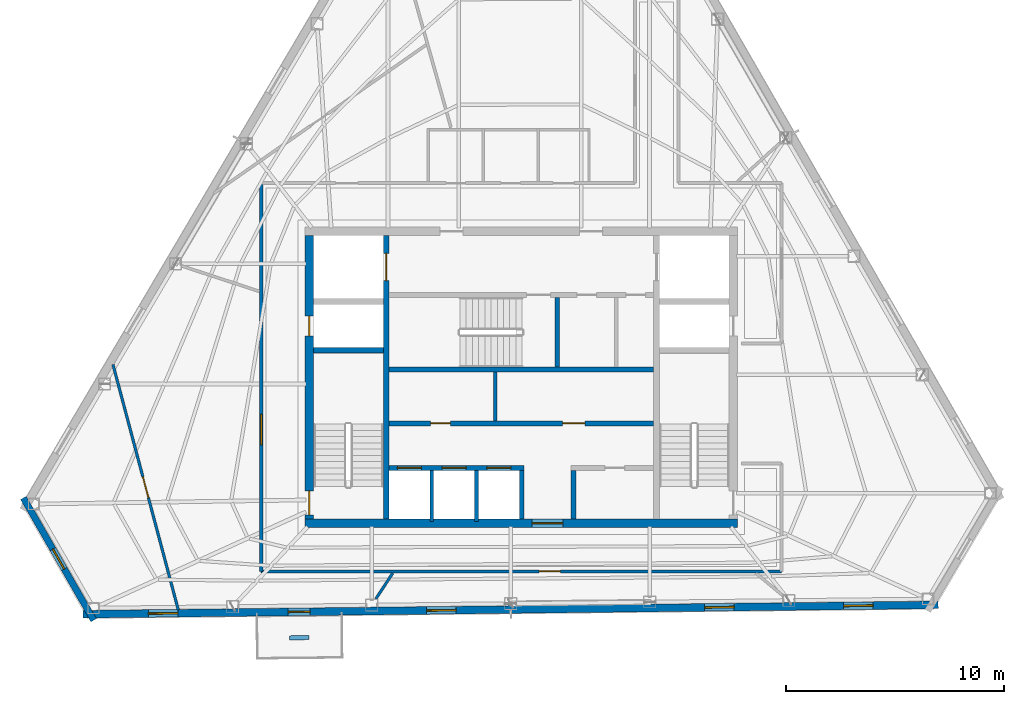
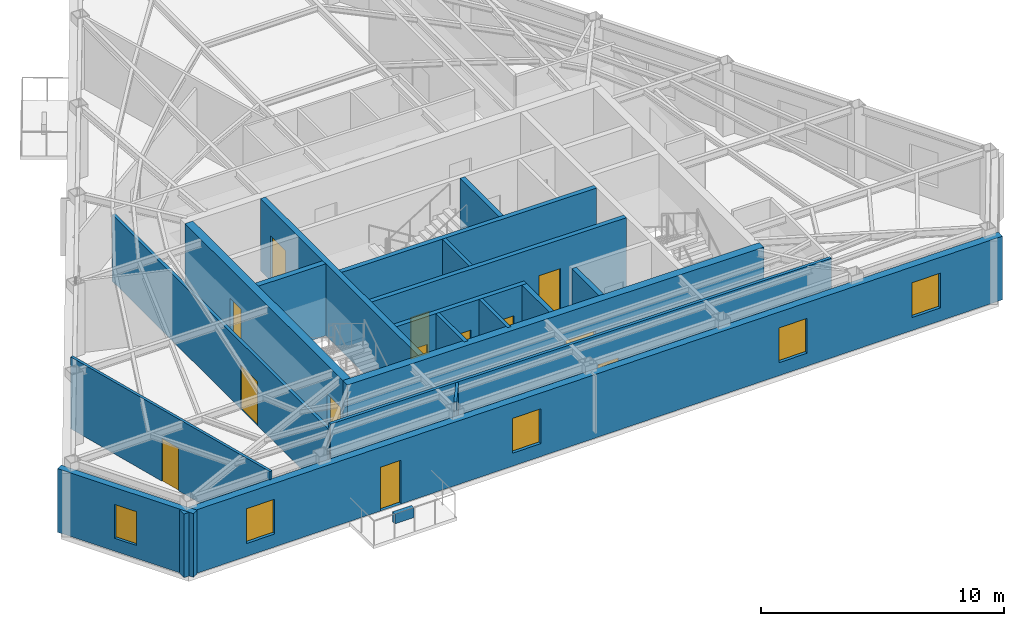
# One storey, part 7 of 11: 20 walls, 13 doors, 5 windows, 18 openings.
"""IFC4 building model written with IfcOpenShell, lengths in metres."""

from ifc_helpers import new_model, si_unit, direction, frame, frame_2d, origin, place, context, subcontext, project, spatial, rectangle, extrude, material, layer, layer_set, type_object, element, fill, save


model = new_model("IFC4")

# Units and contexts
model_context = context("Model", 3, precision=1e-05, world=origin(), true_north=direction((0.0, 1.0)))
body_context = subcontext(model_context, "Body", "Model", "MODEL_VIEW")
ifc_project = project(units=[si_unit("LENGTHUNIT", "METRE"), si_unit("AREAUNIT", "SQUARE_METRE"), si_unit("VOLUMEUNIT", "CUBIC_METRE"), si_unit("PLANEANGLEUNIT", "RADIAN"), si_unit("MASSUNIT", "GRAM", prefix="KILO")], contexts=[model_context])

# Site, building, storey
site_placement = place(None, origin())
site = spatial("IfcSite", under=ifc_project, at=site_placement, CompositionType="ELEMENT")
building_placement = place(site_placement, origin())
building = spatial("IfcBuilding", under=site, at=building_placement, Name="Kavelnor Concourse Tower", CompositionType="ELEMENT")
storey_placement = place(building_placement, frame((0.0, 0.0, 285.699951171875)))
storey = spatial("IfcBuildingStorey", under=building, at=storey_placement, Name="L72", CompositionType="ELEMENT", Elevation=285.699951171875)

# Wall, opening, door
ifc_material_1 = material(Name="Concrete C50/60", Category="concrete")
ifc_layer_1 = layer(ifc_material_1, 0.3798828125, Name="Concrete C50/60")
ifc_layer_set_1 = layer_set([ifc_layer_1], Name="Concrete C50/60")
wall_type_1 = type_object("IfcWallType", Name="WL-CORE-Z4-380", PredefinedType="SOLIDWALL", material=ifc_layer_set_1)
wall_1_placement = place(storey_placement, frame((28.10009765625, 9.409912109375, 0.0), z_axis=(0.0, 0.0, 1.0), x_axis=(1.0, 0.0, 0.0)))
wall_1 = element("IfcWall", 1, at=wall_1_placement, inside=storey, type_object=wall_type_1, Name="L72 Central Core South Shear Wall", PredefinedType="SOLIDWALL", context=body_context, shape_type="SweptSolid", body=[
    extrude(rectangle(XDim=19.7998046875, YDim=0.3798828125, at=frame_2d((9.89990234375, 0.0))), origin(), (0.0, 0.0, 1.0), 3.610107421875),
])
opening_1_placement = place(wall_1_placement, frame((10.39990234375, 0.0, 0.0)))
opening_1 = element("IfcOpeningElement", 2, at=opening_1_placement, cuts=wall_1, Name="Opening SD-140", PredefinedType="OPENING", context=body_context, shape_type="SweptSolid", body=[
    extrude(rectangle(XDim=1.39990234375, YDim=2.199951171875, at=frame_2d((0.699951171875, 1.10009765625))), frame((0.0, 0.199951171875, 0.0), z_axis=(0.0, -1.0, 0.0), x_axis=(1.0, 0.0, 0.0)), (0.0, 0.0, 1.0), 0.39990234375),
])
ifc_material_2 = material(Name="Solid-core hardwood timber", Category="wood")
door_type_1 = type_object("IfcDoorType", Name="DR-SUITE-ENTRY-1400", OperationType="NOTDEFINED", PredefinedType="DOOR", material=ifc_material_2)
door_1_placement = place(opening_1_placement, origin())
door_1 = element("IfcDoor", 3, at=door_1_placement, inside=storey, type_object=door_type_1, Name="L72 Passenger Lift Lobby Entry Door", OperationType="SINGLE_SWING_LEFT", OverallHeight=2.199951171875, OverallWidth=1.39990234375, PredefinedType="DOOR", context=body_context, shape_type="SweptSolid", body=[
    extrude(rectangle(XDim=1.39990234375, YDim=2.199951171875, at=frame_2d((0.699951171875, 1.10009765625))), frame((0.0, 0.02490234375, 0.0), z_axis=(0.0, -1.0, 0.0), x_axis=(1.0, 0.0, 0.0)), (0.0, 0.0, 1.0), 0.050048828125),
])
fill(opening_1, door_1)

# Wall, openings, doors
wall_2_placement = place(storey_placement, frame((28.2900390625, 9.60009765625, 0.0), z_axis=(0.0, 0.0, 1.0), x_axis=(0.0, 1.0, 0.0)))
wall_2 = element("IfcWall", 4, at=wall_2_placement, inside=storey, type_object=wall_type_1, Name="L72 Central Core West Shear Wall", PredefinedType="SOLIDWALL", context=body_context, shape_type="SweptSolid", body=[
    extrude(rectangle(XDim=13.0, YDim=0.3798828125, at=frame_2d((6.5, 0.0))), origin(), (0.0, 0.0, 1.0), 3.610107421875),
])
opening_2_placement = place(wall_2_placement, frame((0.199951171875, 0.0, 0.0)))
opening_2 = element("IfcOpeningElement", 5, at=opening_2_placement, cuts=wall_2, Name="Opening FD-110", PredefinedType="OPENING", context=body_context, shape_type="SweptSolid", body=[
    extrude(rectangle(XDim=1.10009765625, YDim=2.14990234375, at=frame_2d((0.550048828125, 1.074951171875))), frame((0.0, 0.199951171875, 0.0), z_axis=(0.0, -1.0, 0.0), x_axis=(1.0, 0.0, 0.0)), (0.0, 0.0, 1.0), 0.39990234375),
])
opening_3_placement = place(wall_2_placement, frame((8.39990234375, 0.0, 0.0)))
opening_3 = element("IfcOpeningElement", 6, at=opening_3_placement, cuts=wall_2, Name="Opening FD-090", PredefinedType="OPENING", context=body_context, shape_type="SweptSolid", body=[
    extrude(rectangle(XDim=0.89990234375, YDim=2.10009765625, at=frame_2d((0.449951171875, 1.050048828125))), frame((0.0, 0.199951171875, 0.0), z_axis=(0.0, -1.0, 0.0), x_axis=(1.0, 0.0, 0.0)), (0.0, 0.0, 1.0), 0.39990234375),
])
ifc_material_3 = material(Name="Steel Grade 350", Category="steel")
door_type_2 = type_object("IfcDoorType", Name="DR-RISER-FIRE-900", OperationType="NOTDEFINED", PredefinedType="DOOR", material=ifc_material_3)
door_2_placement = place(opening_3_placement, origin())
door_2 = element("IfcDoor", 7, at=door_2_placement, inside=storey, type_object=door_type_2, Name="L72 West Riser Access Door", OperationType="SINGLE_SWING_RIGHT", OverallHeight=2.10009765625, OverallWidth=0.89990234375, PredefinedType="DOOR", context=body_context, shape_type="SweptSolid", body=[
    extrude(rectangle(XDim=0.89990234375, YDim=2.10009765625, at=frame_2d((0.449951171875, 1.050048828125))), frame((0.0, 0.02490234375, 0.0), z_axis=(0.0, -1.0, 0.0), x_axis=(1.0, 0.0, 0.0)), (0.0, 0.0, 1.0), 0.050048828125),
])
fill(opening_3, door_2)
door_type_3 = type_object("IfcDoorType", Name="DR-STAIR-FIRE-1100", OperationType="NOTDEFINED", PredefinedType="DOOR", material=ifc_material_3)
door_3_placement = place(opening_2_placement, origin())
door_3 = element("IfcDoor", 8, at=door_3_placement, inside=storey, type_object=door_type_3, Name="L72 Stair ST1 Fire Door", OperationType="SINGLE_SWING_LEFT", OverallHeight=2.14990234375, OverallWidth=1.10009765625, PredefinedType="DOOR", context=body_context, shape_type="SweptSolid", body=[
    extrude(rectangle(XDim=1.10009765625, YDim=2.14990234375, at=frame_2d((0.550048828125, 1.074951171875))), frame((0.0, 0.02490234375, 0.0), z_axis=(0.0, -1.0, 0.0), x_axis=(1.0, 0.0, 0.0)), (0.0, 0.0, 1.0), 0.050048828125),
])
fill(opening_2, door_3)

# Wall, opening, window
ifc_material_4 = material(Name="Buff ironspot clay face brick masonry", Category="masonry")
ifc_layer_2 = layer(ifc_material_4, 0.300048828125, Name="Buff ironspot clay face brick masonry")
ifc_layer_set_2 = layer_set([ifc_layer_2], Name="Buff ironspot clay face brick masonry")
wall_type_2 = type_object("IfcWallType", Name="WL-EXT-BUFF-BRICK-FOLD-300", PredefinedType="STANDARD", material=ifc_layer_set_2)
wall_3_placement = place(storey_placement, frame((18.420654296875, 4.973388671875, 0.0), z_axis=(0.0, 0.0, 1.0), x_axis=(-0.498638599754, 0.866809983119, 0.0)))
wall_3 = element("IfcWall", 9, at=wall_3_placement, inside=storey, type_object=wall_type_2, Name="L72 Exterior Brick Facade Wall E2", PredefinedType="STANDARD", context=body_context, shape_type="SweptSolid", body=[
    extrude(rectangle(XDim=6.46337890625, YDim=0.300048828125, at=frame_2d((3.231689453125, 0.0))), origin(), (0.0, 0.0, 1.0), 3.196044921875),
])
opening_4_placement = place(wall_3_placement, frame((2.706787109375, 0.0, 0.64990234375)))
opening_4 = element("IfcOpeningElement", 10, at=opening_4_placement, cuts=wall_3, Name="Opening W-06", PredefinedType="OPENING", context=body_context, shape_type="SweptSolid", body=[
    extrude(rectangle(XDim=1.050048828125, YDim=1.699951171875, at=frame_2d((0.52490234375, 0.85009765625))), frame((0.0, 0.16015625, 0.0), z_axis=(0.0, -1.0, 0.0), x_axis=(1.0, 0.0, 0.0)), (0.0, 0.0, 1.0), 0.320068359375),
])
ifc_material_5 = material(Name="Double low-E argon insulated glazing", Category="glass")
window_type_1 = type_object("IfcWindowType", Name="WIN-FOLD-1050", PartitioningType="SINGLE_PANEL", PredefinedType="WINDOW", material=ifc_material_5)
window_1_placement = place(opening_4_placement, origin())
window_1 = element("IfcWindow", 11, at=window_1_placement, inside=storey, type_object=window_type_1, Name="L72 Chamfer-Fold Facet Window C1", OverallHeight=1.699951171875, OverallWidth=1.050048828125, PartitioningType="SINGLE_PANEL", PredefinedType="WINDOW", context=body_context, shape_type="SweptSolid", body=[
    extrude(rectangle(XDim=1.050048828125, YDim=1.699951171875, at=frame_2d((0.52490234375, 0.85009765625))), frame((0.0, 0.030029296875, 0.0), z_axis=(0.0, -1.0, 0.0), x_axis=(1.0, 0.0, 0.0)), (0.0, 0.0, 1.0), 0.06005859375),
])
fill(opening_4, window_1)

# Wall, openings, door, windows
ifc_material_6 = material(Name="Red-ochre clay face brick masonry", Category="masonry")
ifc_layer_3 = layer(ifc_material_6, 0.35009765625, Name="Red-ochre clay face brick masonry")
ifc_layer_set_3 = layer_set([ifc_layer_3], Name="Red-ochre clay face brick masonry")
wall_type_3 = type_object("IfcWallType", Name="WL-EXT-RED-BRICK-PIER-350", PredefinedType="STANDARD", material=ifc_layer_set_3)
wall_4_placement = place(storey_placement, frame((57.091552734375, 5.677734375, 0.0), z_axis=(0.0, 0.0, 1.0), x_axis=(-0.999940268981, -0.010929705831, 0.0)))
wall_4 = element("IfcWall", 12, at=wall_4_placement, inside=storey, type_object=wall_type_3, Name="L72 Exterior Brick Facade Wall E3", PredefinedType="STANDARD", context=body_context, shape_type="SweptSolid", body=[
    extrude(rectangle(XDim=39.157470703125, YDim=0.35009765625, at=frame_2d((19.57861328125, 0.0))), origin(), (0.0, 0.0, 1.0), 3.196044921875),
])
opening_5_placement = place(wall_4_placement, frame((28.76806640625, 0.0, 0.0)))
opening_5 = element("IfcOpeningElement", 13, at=opening_5_placement, cuts=wall_4, Name="Opening BD-100", PredefinedType="OPENING", context=body_context, shape_type="SweptSolid", body=[
    extrude(rectangle(XDim=1.0, YDim=2.199951171875, at=frame_2d((0.5, 1.10009765625))), frame((0.0, 0.18505859375, 0.0), z_axis=(0.0, -1.0, 0.0), x_axis=(1.0, 0.0, 0.0)), (0.0, 0.0, 1.0), 0.3701171875),
])
opening_6_placement = place(wall_4_placement, frame((34.8173828125, 0.0, 0.64990234375)))
opening_6 = element("IfcOpeningElement", 14, at=opening_6_placement, cuts=wall_4, Name="Opening W-04", PredefinedType="OPENING", context=body_context, shape_type="SweptSolid", body=[
    extrude(rectangle(XDim=1.35009765625, YDim=1.75, at=frame_2d((0.675048828125, 0.875))), frame((0.0, 0.18505859375, 0.0), z_axis=(0.0, -1.0, 0.0), x_axis=(1.0, 0.0, 0.0)), (0.0, 0.0, 1.0), 0.3701171875),
])
opening_7_placement = place(wall_4_placement, frame((22.082275390625, 0.0, 0.64990234375)))
opening_7 = element("IfcOpeningElement", 15, at=opening_7_placement, cuts=wall_4, Name="Opening W-04", PredefinedType="OPENING", context=body_context, shape_type="SweptSolid", body=[
    extrude(rectangle(XDim=1.35009765625, YDim=1.75, at=frame_2d((0.675048828125, 0.875))), frame((0.0, 0.18505859375, 0.0), z_axis=(0.0, -1.0, 0.0), x_axis=(1.0, 0.0, 0.0)), (0.0, 0.0, 1.0), 0.3701171875),
])
opening_8_placement = place(wall_4_placement, frame((9.346923828125, 0.0, 0.64990234375)))
opening_8 = element("IfcOpeningElement", 16, at=opening_8_placement, cuts=wall_4, Name="Opening W-04", PredefinedType="OPENING", context=body_context, shape_type="SweptSolid", body=[
    extrude(rectangle(XDim=1.35009765625, YDim=1.75, at=frame_2d((0.675048828125, 0.875))), frame((0.0, 0.18505859375, 0.0), z_axis=(0.0, -1.0, 0.0), x_axis=(1.0, 0.0, 0.0)), (0.0, 0.0, 1.0), 0.3701171875),
])
opening_9_placement = place(wall_4_placement, frame((2.9794921875, 0.0, 0.64990234375)))
opening_9 = element("IfcOpeningElement", 17, at=opening_9_placement, cuts=wall_4, Name="Opening W-04", PredefinedType="OPENING", context=body_context, shape_type="SweptSolid", body=[
    extrude(rectangle(XDim=1.35009765625, YDim=1.75, at=frame_2d((0.675048828125, 0.875))), frame((0.0, 0.18505859375, 0.0), z_axis=(0.0, -1.0, 0.0), x_axis=(1.0, 0.0, 0.0)), (0.0, 0.0, 1.0), 0.3701171875),
])
ifc_material_7 = material(Name="Anodised aluminium 6063-T6", Category="aluminium")
door_type_4 = type_object("IfcDoorType", Name="DR-BALCONY-EXT-1000", OperationType="NOTDEFINED", PredefinedType="DOOR", material=ifc_material_7)
door_4_placement = place(opening_5_placement, origin())
door_4 = element("IfcDoor", 18, at=door_4_placement, inside=storey, type_object=door_type_4, Name="L72 Tree Balcony 2 Glazed Door", OperationType="SINGLE_SWING_RIGHT", OverallHeight=2.199951171875, OverallWidth=1.0, PredefinedType="DOOR", context=body_context, shape_type="SweptSolid", body=[
    extrude(rectangle(XDim=1.0, YDim=2.199951171875, at=frame_2d((0.5, 1.10009765625))), frame((0.0, 0.02490234375, 0.0), z_axis=(0.0, -1.0, 0.0), x_axis=(1.0, 0.0, 0.0)), (0.0, 0.0, 1.0), 0.050048828125),
])
fill(opening_5, door_4)
window_type_2 = type_object("IfcWindowType", Name="WIN-PIER-Z4-1350", PartitioningType="SINGLE_PANEL", PredefinedType="WINDOW", material=ifc_material_5)
window_2_placement = place(opening_6_placement, origin())
window_2 = element("IfcWindow", 19, at=window_2_placement, inside=storey, type_object=window_type_2, Name="L72 Deep-Set Brick Pier Window F1-B0", OverallHeight=1.75, OverallWidth=1.35009765625, PartitioningType="SINGLE_PANEL", PredefinedType="WINDOW", context=body_context, shape_type="SweptSolid", body=[
    extrude(rectangle(XDim=1.35009765625, YDim=1.75, at=frame_2d((0.675048828125, 0.875))), frame((0.0, 0.030029296875, 0.0), z_axis=(0.0, -1.0, 0.0), x_axis=(1.0, 0.0, 0.0)), (0.0, 0.0, 1.0), 0.06005859375),
])
fill(opening_6, window_2)
window_3_placement = place(opening_7_placement, origin())
window_3 = element("IfcWindow", 20, at=window_3_placement, inside=storey, type_object=window_type_2, Name="L72 Deep-Set Brick Pier Window F1-B2", OverallHeight=1.75, OverallWidth=1.35009765625, PartitioningType="SINGLE_PANEL", PredefinedType="WINDOW", context=body_context, shape_type="SweptSolid", body=[
    extrude(rectangle(XDim=1.35009765625, YDim=1.75, at=frame_2d((0.675048828125, 0.875))), frame((0.0, 0.030029296875, 0.0), z_axis=(0.0, -1.0, 0.0), x_axis=(1.0, 0.0, 0.0)), (0.0, 0.0, 1.0), 0.06005859375),
])
fill(opening_7, window_3)
window_4_placement = place(opening_8_placement, origin())
window_4 = element("IfcWindow", 21, at=window_4_placement, inside=storey, type_object=window_type_2, Name="L72 Deep-Set Brick Pier Window F1-B4", OverallHeight=1.75, OverallWidth=1.35009765625, PartitioningType="SINGLE_PANEL", PredefinedType="WINDOW", context=body_context, shape_type="SweptSolid", body=[
    extrude(rectangle(XDim=1.35009765625, YDim=1.75, at=frame_2d((0.675048828125, 0.875))), frame((0.0, 0.030029296875, 0.0), z_axis=(0.0, -1.0, 0.0), x_axis=(1.0, 0.0, 0.0)), (0.0, 0.0, 1.0), 0.06005859375),
])
fill(opening_8, window_4)
window_5_placement = place(opening_9_placement, origin())
window_5 = element("IfcWindow", 22, at=window_5_placement, inside=storey, type_object=window_type_2, Name="L72 Deep-Set Brick Pier Window F1-B5", OverallHeight=1.75, OverallWidth=1.35009765625, PartitioningType="SINGLE_PANEL", PredefinedType="WINDOW", context=body_context, shape_type="SweptSolid", body=[
    extrude(rectangle(XDim=1.35009765625, YDim=1.75, at=frame_2d((0.675048828125, 0.875))), frame((0.0, 0.030029296875, 0.0), z_axis=(0.0, -1.0, 0.0), x_axis=(1.0, 0.0, 0.0)), (0.0, 0.0, 1.0), 0.06005859375),
])
fill(opening_9, window_5)

# Wall, opening, door
ifc_material_8 = material(Name="Gypsum plasterboard on light-gauge steel studs", Category="steel")
ifc_layer_4 = layer(ifc_material_8, 0.14501953125, Name="Gypsum plasterboard on light-gauge steel studs")
ifc_layer_set_4 = layer_set([ifc_layer_4], Name="Gypsum plasterboard on light-gauge steel studs")
wall_type_4 = type_object("IfcWallType", Name="WL-INT-CORR-145", PredefinedType="PARTITIONING", material=ifc_layer_set_4)
wall_5_placement = place(storey_placement, frame((49.909912109375, 7.2099609375, 0.0), z_axis=(0.0, 0.0, 1.0), x_axis=(-1.0, 0.0, 0.0)))
wall_5 = element("IfcWall", 23, at=wall_5_placement, inside=storey, type_object=wall_type_4, Name="L72 Corridor Wall WL-L72-CR-09", PredefinedType="PARTITIONING", context=body_context, shape_type="SweptSolid", body=[
    extrude(rectangle(XDim=23.81982421875, YDim=0.14501953125, at=frame_2d((11.909912109375, 0.0))), origin(), (0.0, 0.0, 1.0), 3.610107421875),
])
opening_10_placement = place(wall_5_placement, frame((10.119384765625, 0.0, 0.0)))
opening_10 = element("IfcOpeningElement", 24, at=opening_10_placement, cuts=wall_5, Name="Opening OD-098", PredefinedType="OPENING", context=body_context, shape_type="SweptSolid", body=[
    extrude(rectangle(XDim=0.97998046875, YDim=2.14990234375, at=frame_2d((0.489990234375, 1.074951171875))), frame((0.0, 0.08251953125, 0.0), z_axis=(0.0, -1.0, 0.0), x_axis=(1.0, 0.0, 0.0)), (0.0, 0.0, 1.0), 0.1650390625),
])
door_type_5 = type_object("IfcDoorType", Name="DR-OFFICE-980", OperationType="NOTDEFINED", PredefinedType="DOOR", material=ifc_material_2)
door_5_placement = place(opening_10_placement, origin())
door_5 = element("IfcDoor", 25, at=door_5_placement, inside=storey, type_object=door_type_5, Name="L72 Tenant Bookstore Retail Shop 06 Door", OperationType="SINGLE_SWING_LEFT", OverallHeight=2.14990234375, OverallWidth=0.97998046875, PredefinedType="DOOR", context=body_context, shape_type="SweptSolid", body=[
    extrude(rectangle(XDim=0.97998046875, YDim=2.14990234375, at=frame_2d((0.489990234375, 1.074951171875))), frame((0.0, 0.02490234375, 0.0), z_axis=(0.0, -1.0, 0.0), x_axis=(1.0, 0.0, 0.0)), (0.0, 0.0, 1.0), 0.050048828125),
])
fill(opening_10, door_5)

wall_6_placement = place(storey_placement, frame((26.090087890625, 7.2099609375, 0.0), z_axis=(0.0, 0.0, 1.0), x_axis=(0.0, 1.0, 0.0)))
wall_6 = element("IfcWall", 26, at=wall_6_placement, inside=storey, type_object=wall_type_4, Name="L72 Corridor Wall WL-L72-CR-10", PredefinedType="PARTITIONING", context=body_context, shape_type="SweptSolid", body=[
    extrude(rectangle(XDim=17.780029296875, YDim=0.14501953125, at=frame_2d((8.89013671875, 0.0))), origin(), (0.0, 0.0, 1.0), 3.34912109375),
])
opening_11_placement = place(wall_6_placement, frame((5.794921875, 0.0, 0.0)))
opening_11 = element("IfcOpeningElement", 27, at=opening_11_placement, cuts=wall_6, Name="Opening SD-140", PredefinedType="OPENING", context=body_context, shape_type="SweptSolid", body=[
    extrude(rectangle(XDim=1.39990234375, YDim=2.199951171875, at=frame_2d((0.699951171875, 1.10009765625))), frame((0.0, 0.08251953125, 0.0), z_axis=(0.0, -1.0, 0.0), x_axis=(1.0, 0.0, 0.0)), (0.0, 0.0, 1.0), 0.1650390625),
])
door_6_placement = place(opening_11_placement, origin())
door_6 = element("IfcDoor", 28, at=door_6_placement, inside=storey, type_object=door_type_1, Name="L72 Tenant Bookstore Retail Shop 04 Door", OperationType="SINGLE_SWING_LEFT", OverallHeight=2.199951171875, OverallWidth=1.39990234375, PredefinedType="DOOR", context=body_context, shape_type="SweptSolid", body=[
    extrude(rectangle(XDim=1.39990234375, YDim=2.199951171875, at=frame_2d((0.699951171875, 1.10009765625))), frame((0.0, 0.02490234375, 0.0), z_axis=(0.0, -1.0, 0.0), x_axis=(1.0, 0.0, 0.0)), (0.0, 0.0, 1.0), 0.050048828125),
])
fill(opening_11, door_6)

# Walls
ifc_layer_5 = layer(ifc_material_8, 0.1650390625, Name="Gypsum plasterboard on light-gauge steel studs")
ifc_layer_set_5 = layer_set([ifc_layer_5], Name="Gypsum plasterboard on light-gauge steel studs")
wall_type_5 = type_object("IfcWallType", Name="WL-INT-FIRE-165", PredefinedType="PARTITIONING", material=ifc_layer_set_5)
for number, where, z_axis, x_axis, name in (
    (29, (33.89990234375, 9.489990234375, 0.0), (0.0, 0.0, 1.0), (0.0, 1.0, 0.0), "L72 Lift Shaft Divider LP7"),
    (30, (35.949951171875, 9.489990234375, 0.0), (0.0, 0.0, 1.0), (0.0, 1.0, 0.0), "L72 Lift Shaft Divider LP8"),
):
    element("IfcWall", number, at=place(storey_placement, frame(where, z_axis=z_axis, x_axis=x_axis)), inside=storey, type_object=wall_type_5, Name=name, PredefinedType="PARTITIONING", context=body_context, shape_type="SweptSolid", body=[
        extrude(rectangle(XDim=2.35009765625, YDim=0.1650390625, at=frame_2d((1.175048828125, 0.0))), origin(), (0.0, 0.0, 1.0), 3.610107421875),
    ])
wall_7_placement = place(storey_placement, frame((36.800048828125, 14.10009765625, 0.0), z_axis=(0.0, 0.0, 1.0), x_axis=(0.0, 1.0, 0.0)))
element("IfcWall", 31, at=wall_7_placement, inside=storey, type_object=wall_type_5, Name="L72 Reclaimed Core Partition A", PredefinedType="PARTITIONING", context=body_context, shape_type="SweptSolid", body=[
    extrude(rectangle(XDim=2.239990234375, YDim=0.1650390625, at=frame_2d((1.1201171875, 0.0))), origin(), (0.0, 0.0, 1.0), 3.610107421875),
])
ifc_layer_6 = layer(ifc_material_8, 0.125, Name="Gypsum plasterboard on light-gauge steel studs")
ifc_layer_set_6 = layer_set([ifc_layer_6], Name="Gypsum plasterboard on light-gauge steel studs")
wall_type_6 = type_object("IfcWallType", Name="WL-INT-SUITE-125", PredefinedType="PARTITIONING", material=ifc_layer_set_6)
wall_8_placement = place(storey_placement, frame((32.111083984375, 7.12939453125, 0.0), z_axis=(0.0, 0.0, 1.0), x_axis=(-0.548724605313, -0.83600317435, 0.0)))
element("IfcWall", 32, at=wall_8_placement, inside=storey, type_object=wall_type_6, Name="L72 Radial Suite Partition 04", PredefinedType="PARTITIONING", context=body_context, shape_type="SweptSolid", body=[
    extrude(rectangle(XDim=1.408203125, YDim=0.125, at=frame_2d((0.7041015625, 0.0))), origin(), (0.0, 0.0, 1.0), 3.610107421875),
])

# Wall, opening, door
wall_9_placement = place(storey_placement, frame((19.30078125, 16.68408203125, 0.0), z_axis=(0.0, 0.0, 1.0), x_axis=(0.257283659249, -0.966335924347, 0.0)))
wall_9 = element("IfcWall", 33, at=wall_9_placement, inside=storey, type_object=wall_type_6, Name="L72 Suite Subdivision Partition 03", PredefinedType="PARTITIONING", context=body_context, shape_type="SweptSolid", body=[
    extrude(rectangle(XDim=11.6279296875, YDim=0.125, at=frame_2d((5.81396484375, 0.0))), origin(), (0.0, 0.0, 1.0), 3.610107421875),
])
opening_12_placement = place(wall_9_placement, frame((5.32421875, 0.0, 0.0)))
opening_12 = element("IfcOpeningElement", 34, at=opening_12_placement, cuts=wall_9, Name="Opening OD-098", PredefinedType="OPENING", context=body_context, shape_type="SweptSolid", body=[
    extrude(rectangle(XDim=0.97998046875, YDim=2.14990234375, at=frame_2d((0.489990234375, 1.074951171875))), frame((0.0, 0.072509765625, 0.0), z_axis=(0.0, -1.0, 0.0), x_axis=(1.0, 0.0, 0.0)), (0.0, 0.0, 1.0), 0.14501953125),
])
door_7_placement = place(opening_12_placement, origin())
door_7 = element("IfcDoor", 35, at=door_7_placement, inside=storey, type_object=door_type_5, Name="L72 Tenant Bookstore Retail Shop 05 Door", OperationType="SINGLE_SWING_RIGHT", OverallHeight=2.14990234375, OverallWidth=0.97998046875, PredefinedType="DOOR", context=body_context, shape_type="SweptSolid", body=[
    extrude(rectangle(XDim=0.97998046875, YDim=2.14990234375, at=frame_2d((0.489990234375, 1.074951171875))), frame((0.0, 0.02490234375, 0.0), z_axis=(0.0, -1.0, 0.0), x_axis=(1.0, 0.0, 0.0)), (0.0, 0.0, 1.0), 0.050048828125),
])
fill(opening_12, door_7)

# Walls
ifc_material_9 = material(Name="Architectural precast planter concrete C40/50", Category="concrete")
ifc_layer_7 = layer(ifc_material_9, 0.18994140625, Name="Architectural precast planter concrete C40/50")
ifc_layer_set_7 = layer_set([ifc_layer_7], Name="Architectural precast planter concrete C40/50")
wall_type_7 = type_object("IfcWallType", Name="WL-PLANTER-KERB-190", PredefinedType="USERDEFINED", material=ifc_layer_set_7)
wall_10_placement = place(storey_placement, frame((27.38818359375, 4.16796875, 0.0), z_axis=(0.0, 0.0, 1.0), x_axis=(0.999938176845, 0.011119464402, 0.0)))
element("IfcWall", 36, at=wall_10_placement, inside=storey, type_object=wall_type_7, Name="L72 Tree Balcony 2 Tree Planter Kerb", ObjectType="PLANTER", PredefinedType="USERDEFINED", context=body_context, shape_type="SweptSolid", body=[
    extrude(rectangle(XDim=0.900146484375, YDim=0.18994140625, at=frame_2d((0.4501953125, 0.0))), origin(), (0.0, 0.0, 1.0), 0.5),
])
ifc_layer_8 = layer(ifc_material_1, 0.219970703125, Name="Concrete C50/60")
ifc_layer_set_8 = layer_set([ifc_layer_8], Name="Concrete C50/60")
wall_type_8 = type_object("IfcWallType", Name="WL-SHAFT-220", PredefinedType="SOLIDWALL", material=ifc_layer_set_8)
wall_11_placement = place(storey_placement, frame((31.93994140625, 16.449951171875, 0.0), z_axis=(0.0, 0.0, 1.0), x_axis=(1.0, 0.0, 0.0)))
element("IfcWall", 37, at=wall_11_placement, inside=storey, type_object=wall_type_8, Name="L72 Stair ST3 South Core Wall", PredefinedType="SOLIDWALL", context=body_context, shape_type="SweptSolid", body=[
    extrude(rectangle(XDim=12.1201171875, YDim=0.219970703125, at=frame_2d((6.06005859375, 0.0))), origin(), (0.0, 0.0, 1.0), 3.610107421875),
])
wall_12_placement = place(storey_placement, frame((39.64990234375, 16.56005859375, 0.0), z_axis=(0.0, 0.0, 1.0), x_axis=(0.0, 1.0, 0.0)))
element("IfcWall", 38, at=wall_12_placement, inside=storey, type_object=wall_type_8, Name="L72 Stair ST3 East Core Wall", PredefinedType="SOLIDWALL", context=body_context, shape_type="SweptSolid", body=[
    extrude(rectangle(XDim=3.199951171875, YDim=0.219970703125, at=frame_2d((1.60009765625, 0.0))), origin(), (0.0, 0.0, 1.0), 3.610107421875),
])

# Wall, openings, doors
wall_13_placement = place(storey_placement, frame((31.93994140625, 13.989990234375, 0.0), z_axis=(0.0, 0.0, 1.0), x_axis=(1.0, 0.0, 0.0)))
wall_13 = element("IfcWall", 39, at=wall_13_placement, inside=storey, type_object=wall_type_8, Name="L72 North Lift Row Shaft Wall", PredefinedType="SOLIDWALL", context=body_context, shape_type="SweptSolid", body=[
    extrude(rectangle(XDim=12.1201171875, YDim=0.219970703125, at=frame_2d((6.06005859375, 0.0))), origin(), (0.0, 0.0, 1.0), 3.610107421875),
])
opening_13_placement = place(wall_13_placement, frame((1.909912109375, 0.0, 0.0)))
opening_13 = element("IfcOpeningElement", 40, at=opening_13_placement, cuts=wall_13, Name="Opening FD-090", PredefinedType="OPENING", context=body_context, shape_type="SweptSolid", body=[
    extrude(rectangle(XDim=0.89990234375, YDim=2.10009765625, at=frame_2d((0.449951171875, 1.050048828125))), frame((0.0, 0.1201171875, 0.0), z_axis=(0.0, -1.0, 0.0), x_axis=(1.0, 0.0, 0.0)), (0.0, 0.0, 1.0), 0.239990234375),
])
opening_14_placement = place(wall_13_placement, frame((7.949951171875, 0.0, 0.0)))
opening_14 = element("IfcOpeningElement", 41, at=opening_14_placement, cuts=wall_13, Name="Opening MD-102", PredefinedType="OPENING", context=body_context, shape_type="SweptSolid", body=[
    extrude(rectangle(XDim=1.02001953125, YDim=2.14990234375, at=frame_2d((0.510009765625, 1.074951171875))), frame((0.0, 0.1201171875, 0.0), z_axis=(0.0, -1.0, 0.0), x_axis=(1.0, 0.0, 0.0)), (0.0, 0.0, 1.0), 0.239990234375),
])
ifc_material_10 = material(Name="Acoustic glazed timber frame", Category="wood")
door_type_6 = type_object("IfcDoorType", Name="DR-MEETING-1020", OperationType="NOTDEFINED", PredefinedType="DOOR", material=ifc_material_10)
door_8_placement = place(opening_14_placement, origin())
door_8 = element("IfcDoor", 42, at=door_8_placement, inside=storey, type_object=door_type_6, Name="L72 Briefing Room Door", OperationType="SINGLE_SWING_RIGHT", OverallHeight=2.14990234375, OverallWidth=1.02001953125, PredefinedType="DOOR", context=body_context, shape_type="SweptSolid", body=[
    extrude(rectangle(XDim=1.02001953125, YDim=2.14990234375, at=frame_2d((0.510009765625, 1.074951171875))), frame((0.0, 0.02490234375, 0.0), z_axis=(0.0, -1.0, 0.0), x_axis=(1.0, 0.0, 0.0)), (0.0, 0.0, 1.0), 0.050048828125),
])
fill(opening_14, door_8)
door_9_placement = place(opening_13_placement, origin())
door_9 = element("IfcDoor", 43, at=door_9_placement, inside=storey, type_object=door_type_2, Name="L72 IT Room Door", OperationType="SINGLE_SWING_LEFT", OverallHeight=2.10009765625, OverallWidth=0.89990234375, PredefinedType="DOOR", context=body_context, shape_type="SweptSolid", body=[
    extrude(rectangle(XDim=0.89990234375, YDim=2.10009765625, at=frame_2d((0.449951171875, 1.050048828125))), frame((0.0, 0.02490234375, 0.0), z_axis=(0.0, -1.0, 0.0), x_axis=(1.0, 0.0, 0.0)), (0.0, 0.0, 1.0), 0.050048828125),
])
fill(opening_13, door_9)

wall_14_placement = place(storey_placement, frame((31.93994140625, 11.949951171875, 0.0), z_axis=(0.0, 0.0, 1.0), x_axis=(1.0, 0.0, 0.0)))
wall_14 = element("IfcWall", 44, at=wall_14_placement, inside=storey, type_object=wall_type_8, Name="L72 High-Rise Lift Bank North Wall", PredefinedType="SOLIDWALL", context=body_context, shape_type="SweptSolid", body=[
    extrude(rectangle(XDim=6.18994140625, YDim=0.219970703125, at=frame_2d((3.094970703125, 0.0))), origin(), (0.0, 0.0, 1.0), 3.610107421875),
])
opening_15_placement = place(wall_14_placement, frame((0.385009765625, 0.0, 0.0)))
opening_15 = element("IfcOpeningElement", 45, at=opening_15_placement, cuts=wall_14, Name="Opening LD-110", PredefinedType="OPENING", context=body_context, shape_type="SweptSolid", body=[
    extrude(rectangle(XDim=1.10009765625, YDim=2.199951171875, at=frame_2d((0.550048828125, 1.10009765625))), frame((0.0, 0.1201171875, 0.0), z_axis=(0.0, -1.0, 0.0), x_axis=(1.0, 0.0, 0.0)), (0.0, 0.0, 1.0), 0.239990234375),
])
opening_16_placement = place(wall_14_placement, frame((2.43505859375, 0.0, 0.0)))
opening_16 = element("IfcOpeningElement", 46, at=opening_16_placement, cuts=wall_14, Name="Opening LD-110", PredefinedType="OPENING", context=body_context, shape_type="SweptSolid", body=[
    extrude(rectangle(XDim=1.10009765625, YDim=2.199951171875, at=frame_2d((0.550048828125, 1.10009765625))), frame((0.0, 0.1201171875, 0.0), z_axis=(0.0, -1.0, 0.0), x_axis=(1.0, 0.0, 0.0)), (0.0, 0.0, 1.0), 0.239990234375),
])
opening_17_placement = place(wall_14_placement, frame((4.485107421875, 0.0, 0.0)))
opening_17 = element("IfcOpeningElement", 47, at=opening_17_placement, cuts=wall_14, Name="Opening LD-110", PredefinedType="OPENING", context=body_context, shape_type="SweptSolid", body=[
    extrude(rectangle(XDim=1.10009765625, YDim=2.199951171875, at=frame_2d((0.550048828125, 1.10009765625))), frame((0.0, 0.1201171875, 0.0), z_axis=(0.0, -1.0, 0.0), x_axis=(1.0, 0.0, 0.0)), (0.0, 0.0, 1.0), 0.239990234375),
])
door_type_7 = type_object("IfcDoorType", Name="DR-LIFT-SLIDING-1100", OperationType="NOTDEFINED", PredefinedType="DOOR", material=ifc_material_3)
door_10_placement = place(opening_15_placement, origin())
door_10 = element("IfcDoor", 48, at=door_10_placement, inside=storey, type_object=door_type_7, Name="L72 Lift LP7 Landing Door", OperationType="DOUBLE_DOOR_SLIDING", OverallHeight=2.199951171875, OverallWidth=1.10009765625, PredefinedType="DOOR", context=body_context, shape_type="SweptSolid", body=[
    extrude(rectangle(XDim=1.10009765625, YDim=2.199951171875, at=frame_2d((0.550048828125, 1.10009765625))), frame((0.0, 0.02490234375, 0.0), z_axis=(0.0, -1.0, 0.0), x_axis=(1.0, 0.0, 0.0)), (0.0, 0.0, 1.0), 0.050048828125),
])
fill(opening_15, door_10)
door_11_placement = place(opening_16_placement, origin())
door_11 = element("IfcDoor", 49, at=door_11_placement, inside=storey, type_object=door_type_7, Name="L72 Lift LP8 Landing Door", OperationType="DOUBLE_DOOR_SLIDING", OverallHeight=2.199951171875, OverallWidth=1.10009765625, PredefinedType="DOOR", context=body_context, shape_type="SweptSolid", body=[
    extrude(rectangle(XDim=1.10009765625, YDim=2.199951171875, at=frame_2d((0.550048828125, 1.10009765625))), frame((0.0, 0.02490234375, 0.0), z_axis=(0.0, -1.0, 0.0), x_axis=(1.0, 0.0, 0.0)), (0.0, 0.0, 1.0), 0.050048828125),
])
fill(opening_16, door_11)
door_12_placement = place(opening_17_placement, origin())
door_12 = element("IfcDoor", 50, at=door_12_placement, inside=storey, type_object=door_type_7, Name="L72 Lift LP9 Landing Door", OperationType="DOUBLE_DOOR_SLIDING", OverallHeight=2.199951171875, OverallWidth=1.10009765625, PredefinedType="DOOR", context=body_context, shape_type="SweptSolid", body=[
    extrude(rectangle(XDim=1.10009765625, YDim=2.199951171875, at=frame_2d((0.550048828125, 1.10009765625))), frame((0.0, 0.02490234375, 0.0), z_axis=(0.0, -1.0, 0.0), x_axis=(1.0, 0.0, 0.0)), (0.0, 0.0, 1.0), 0.050048828125),
])
fill(opening_17, door_12)

# Walls
for number, where, z_axis, x_axis, name in (
    (51, (38.02001953125, 9.60009765625, 0.0), (0.0, 0.0, 1.0), (0.0, 1.0, 0.0), "L72 Lift Lobby Throat West Wall"),
    (52, (40.389892578125, 9.60009765625, 0.0), (0.0, 0.0, 1.0), (0.0, 1.0, 0.0), "L72 Lift Lobby Throat East Wall"),
):
    element("IfcWall", number, at=place(storey_placement, frame(where, z_axis=z_axis, x_axis=x_axis)), inside=storey, type_object=wall_type_8, Name=name, PredefinedType="SOLIDWALL", context=body_context, shape_type="SweptSolid", body=[
        extrude(rectangle(XDim=2.239990234375, YDim=0.219970703125, at=frame_2d((1.1201171875, 0.0))), origin(), (0.0, 0.0, 1.0), 3.610107421875),
    ])

# Wall, opening, door
ifc_layer_9 = layer(ifc_material_1, 0.260009765625, Name="Concrete C50/60")
ifc_layer_set_9 = layer_set([ifc_layer_9], Name="Concrete C50/60")
wall_type_9 = type_object("IfcWallType", Name="WL-SHAFT-260", PredefinedType="SHEAR", material=ifc_layer_set_9)
wall_15_placement = place(storey_placement, frame((31.81005859375, 9.60009765625, 0.0), z_axis=(0.0, 0.0, 1.0), x_axis=(0.0, 1.0, 0.0)))
wall_15 = element("IfcWall", 53, at=wall_15_placement, inside=storey, type_object=wall_type_9, Name="L72 Core West Wing Shear Wall", PredefinedType="SHEAR", context=body_context, shape_type="SweptSolid", body=[
    extrude(rectangle(XDim=13.0, YDim=0.260009765625, at=frame_2d((6.5, 0.0))), origin(), (0.0, 0.0, 1.0), 3.610107421875),
])
opening_18_placement = place(wall_15_placement, frame((10.925048828125, 0.0, 0.0)))
opening_18 = element("IfcOpeningElement", 54, at=opening_18_placement, cuts=wall_15, Name="Opening LD-125", PredefinedType="OPENING", context=body_context, shape_type="SweptSolid", body=[
    extrude(rectangle(XDim=1.25, YDim=2.25, at=frame_2d((0.625, 1.125))), frame((0.0, 0.14013671875, 0.0), z_axis=(0.0, -1.0, 0.0), x_axis=(1.0, 0.0, 0.0)), (0.0, 0.0, 1.0), 0.280029296875),
])
door_type_8 = type_object("IfcDoorType", Name="DR-LIFT-SLIDING-1250", OperationType="NOTDEFINED", PredefinedType="DOOR", material=ifc_material_3)
door_13_placement = place(opening_18_placement, origin())
door_13 = element("IfcDoor", 55, at=door_13_placement, inside=storey, type_object=door_type_8, Name="L72 Emergency Lift FL1 Landing Door", OperationType="DOUBLE_DOOR_SLIDING", OverallHeight=2.25, OverallWidth=1.25, PredefinedType="DOOR", context=body_context, shape_type="SweptSolid", body=[
    extrude(rectangle(XDim=1.25, YDim=2.25, at=frame_2d((0.625, 1.125))), frame((0.0, 0.02490234375, 0.0), z_axis=(0.0, -1.0, 0.0), x_axis=(1.0, 0.0, 0.0)), (0.0, 0.0, 1.0), 0.050048828125),
])
fill(opening_18, door_13)

# Wall
wall_16_placement = place(storey_placement, frame((28.47998046875, 17.330078125, 0.0), z_axis=(0.0, 0.0, 1.0), x_axis=(1.0, 0.0, 0.0)))
element("IfcWall", 56, at=wall_16_placement, inside=storey, type_object=wall_type_9, Name="L72 Stair ST1 North Shaft Wall", PredefinedType="SHEAR", context=body_context, shape_type="SweptSolid", body=[
    extrude(rectangle(XDim=3.199951171875, YDim=0.260009765625, at=frame_2d((1.60009765625, 0.0))), origin(), (0.0, 0.0, 1.0), 3.610107421875),
])

save(model, "model.ifc")
